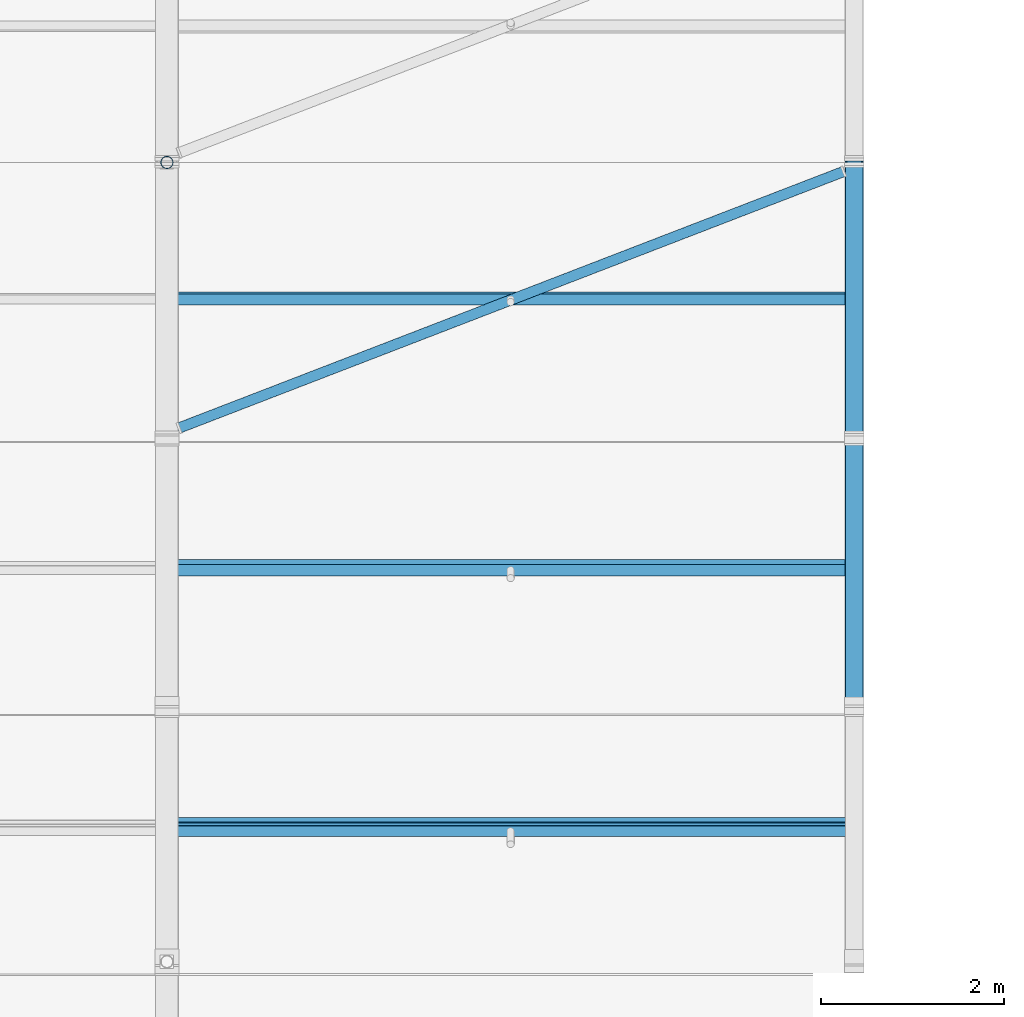
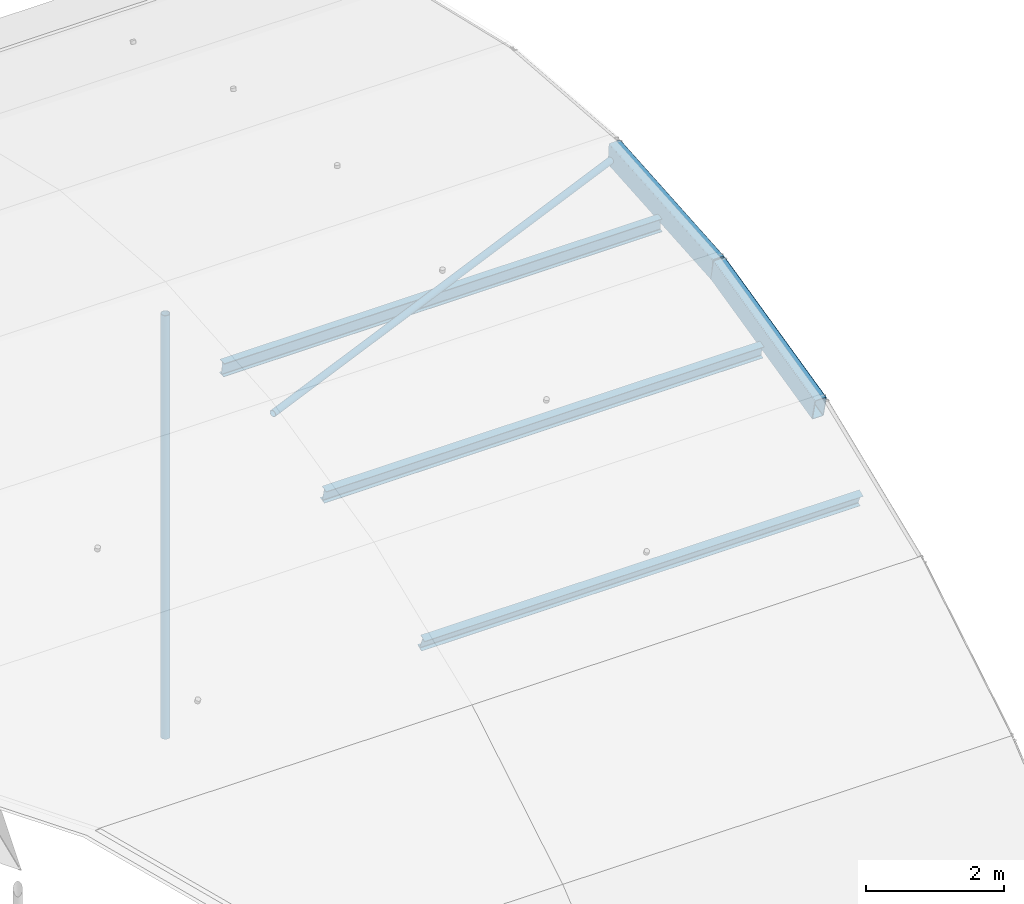
# One storey, part 25 of 77: 5 members, 2 beams.
"""IFC4 building model written with IfcOpenShell, lengths in metres."""

from ifc_helpers import new_model, si_unit, direction, frame, origin, origin_2d, place, context, subcontext, project, spatial, hollow_rectangle, hollow_circle, i_section, extrude, material, material_profile, profile_set, type_object, element, save


model = new_model("IFC4")

# Units and contexts
model_context = context("Model", 3, precision=1e-05, world=origin(), true_north=direction((0.0, 1.0)))
body_context = subcontext(model_context, "Body", "Model", "MODEL_VIEW")
ifc_project = project(units=[si_unit("LENGTHUNIT", "METRE"), si_unit("AREAUNIT", "SQUARE_METRE"), si_unit("VOLUMEUNIT", "CUBIC_METRE"), si_unit("PLANEANGLEUNIT", "RADIAN"), si_unit("MASSUNIT", "GRAM", prefix="KILO")], contexts=[model_context])

# Site, building, storey
site_placement = place(None, origin())
site = spatial("IfcSite", under=ifc_project, at=site_placement, CompositionType="ELEMENT")
building_placement = place(site_placement, origin())
building = spatial("IfcBuilding", under=site, at=building_placement, Name="Yukiwa Park Conservatory and Herbarium", CompositionType="ELEMENT")
storey_placement = place(building_placement, frame((0.0, 0.0, 13.199951171875)))
storey = spatial("IfcBuildingStorey", under=building, at=storey_placement, Name="L03", CompositionType="ELEMENT", Elevation=13.199951171875)

# Beams
ifc_material_1 = material(Name="Steel Q355D", Category="steel")
ifc_material_profile_1 = material_profile(ifc_material_1, hollow_rectangle(XDim=0.199951171875, YDim=0.39990234375, WallThickness=0.011962890625, InnerFilletRadius=0.011962890625, OuterFilletRadius=0.02392578125, at=origin_2d()), Name="RHS 400x200x12")
ifc_profile_set_1 = profile_set([ifc_material_profile_1], Name="Steel Q355D")
beam_type = type_object("IfcBeamType", Name="BM-VLT-GABLE400", PredefinedType="BEAM", material=ifc_profile_set_1)
for number, where, z_axis, x_axis, name in (
    (1, (60.0, 9.668212890625, 2.676025390625), (0.0, 0.973254208946, 0.22973080936), (-1.0, 0.0, 0.0), "Conservatory barrel vault arch rib 9 chord 5"),
    (2, (60.0, 12.598388671875, 3.36767578125), (0.0, 0.997015721433, 0.077198777292), (-1.0, 0.0, 0.0), "Conservatory barrel vault arch rib 9 chord 6"),
):
    element("IfcBeam", number, at=place(storey_placement, frame(where, z_axis=z_axis, x_axis=x_axis)), inside=storey, type_object=beam_type, Name=name, PredefinedType="BEAM", context=body_context, shape_type="SweptSolid", body=[
        extrude(hollow_rectangle(XDim=0.199951171875, YDim=0.39990234375, WallThickness=0.011962890625, InnerFilletRadius=0.011962890625, OuterFilletRadius=0.02392578125, at=origin_2d()), origin(), (0.0, 0.0, 1.0), 3.0107421875),
    ])

# Members
ifc_material_2 = material(Name="Steel Q355D", Category="steel")
ifc_material_profile_2 = material_profile(ifc_material_2, i_section(OverallWidth=0.1240234375, OverallDepth=0.248046875, WebThickness=0.0048828125, FlangeThickness=0.008056640625, FilletRadius=0.011962890625, at=origin_2d()), Name="HN 248x124x5x8")
ifc_profile_set_2 = profile_set([ifc_material_profile_2], Name="Steel Q355D")
member_type_1 = type_object("IfcMemberType", Name="MB-VLT-PURL248", PredefinedType="PURLIN", material=ifc_profile_set_2)
for number, where, z_axis, x_axis, name in (
    (3, (52.5849609375, 8.34912109375, 1.92333984375), (1.0, 0.0, 0.0), (0.0, 0.926282194237, 0.376830594086), "Conservatory vault longitudinal purlin 8.4"),
    (4, (52.5849609375, 11.17919921875, 2.8271484375), (1.0, 0.0, 0.0), (0.0, 0.973249092076, 0.22975248589), "Conservatory vault longitudinal purlin 8.5"),
    (5, (52.5849609375, 14.114501953125, 3.284423828125), (1.0, 0.0, 0.0), (0.0, 0.997015814894, 0.077197570239), "Conservatory vault longitudinal purlin 8.6"),
):
    element("IfcMember", number, at=place(storey_placement, frame(where, z_axis=z_axis, x_axis=x_axis)), inside=storey, type_object=member_type_1, Name=name, PredefinedType="PURLIN", context=body_context, shape_type="SweptSolid", body=[
        extrude(i_section(OverallWidth=0.1240234375, OverallDepth=0.248046875, WebThickness=0.0048828125, FlangeThickness=0.008056640625, FilletRadius=0.011962890625, at=origin_2d()), origin(), (0.0, 0.0, 1.0), 7.330078125),
    ])
ifc_material_3 = material(Name="Steel Q355D", Category="steel")
ifc_material_profile_3 = material_profile(ifc_material_3, hollow_circle(Radius=0.06982421875, WallThickness=0.008056640625, at=origin_2d()), Name="CHS 139.7x8")
ifc_profile_set_3 = profile_set([ifc_material_profile_3], Name="Steel Q355D")
member_type_2 = type_object("IfcMemberType", Name="MB-VLT-STRUT140", PredefinedType="STRUT", material=ifc_profile_set_3)
member_1_placement = place(storey_placement, frame((52.5, 15.60009765625, -4.095947265625), z_axis=(0.0, 0.0, 1.0), x_axis=(1.0, 0.0, 0.0)))
element("IfcMember", 6, at=member_1_placement, inside=storey, type_object=member_type_2, Name="Conservatory vault bowstring hanger 8.6", PredefinedType="STRUT", context=body_context, shape_type="SweptSolid", body=[
    extrude(hollow_circle(Radius=0.06982421875, WallThickness=0.008056640625, at=origin_2d()), origin(), (0.0, 0.0, 1.0), 7.48095703125),
])
ifc_material_4 = material(Name="Steel Q355D", Category="steel")
ifc_material_profile_4 = material_profile(ifc_material_4, hollow_circle(Radius=0.05712890625, WallThickness=0.006103515625, at=origin_2d()), Name="CHS 114.3x6")
ifc_profile_set_4 = profile_set([ifc_material_profile_4], Name="Steel Q355D")
member_type_3 = type_object("IfcMemberType", Name="MB-VLT-WBRACE114-EXT", PredefinedType="BRACE", material=ifc_profile_set_4)
member_2_placement = place(storey_placement, frame((52.6201171875, 12.6982421875, 3.32763671875), z_axis=(0.932518368986, 0.359886360051, 0.029854637049), x_axis=(-0.360046850583, 0.932934223504, 0.0)))
element("IfcMember", 7, at=member_2_placement, inside=storey, type_object=member_type_3, Name="Conservatory vault wind brace 8.5", PredefinedType="BRACE", context=body_context, shape_type="SweptSolid", body=[
    extrude(hollow_circle(Radius=0.05712890625, WallThickness=0.006103515625, at=origin_2d()), origin(), (0.0, 0.0, 1.0), 7.78515625),
])

save(model, "model.ifc")
